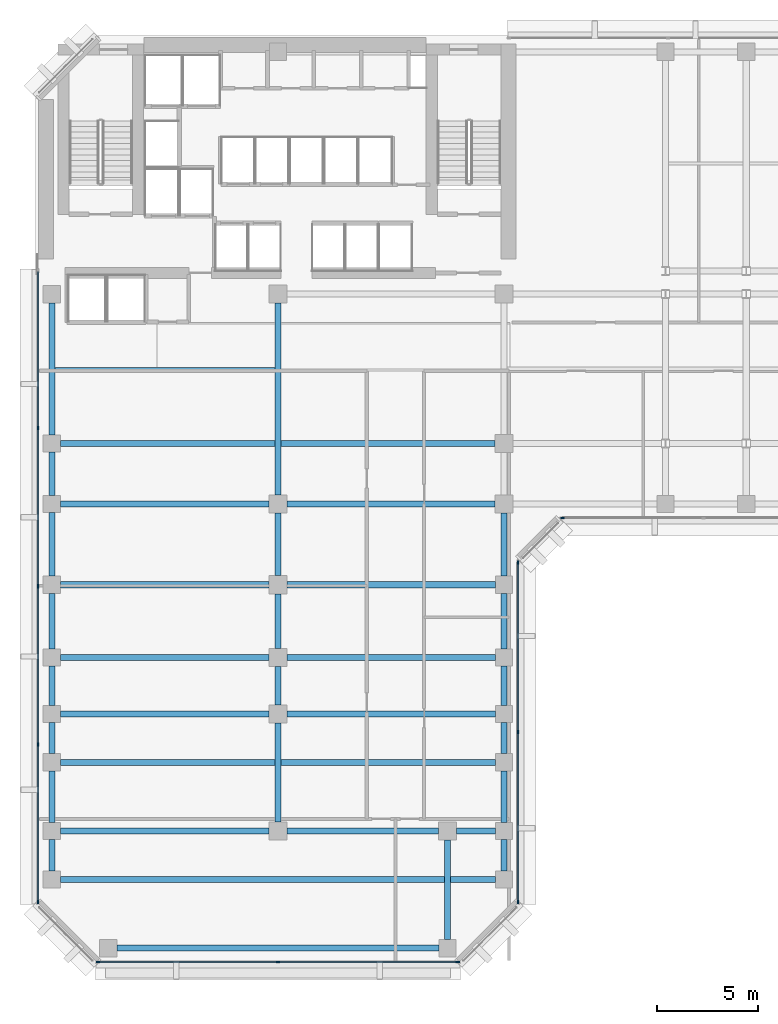
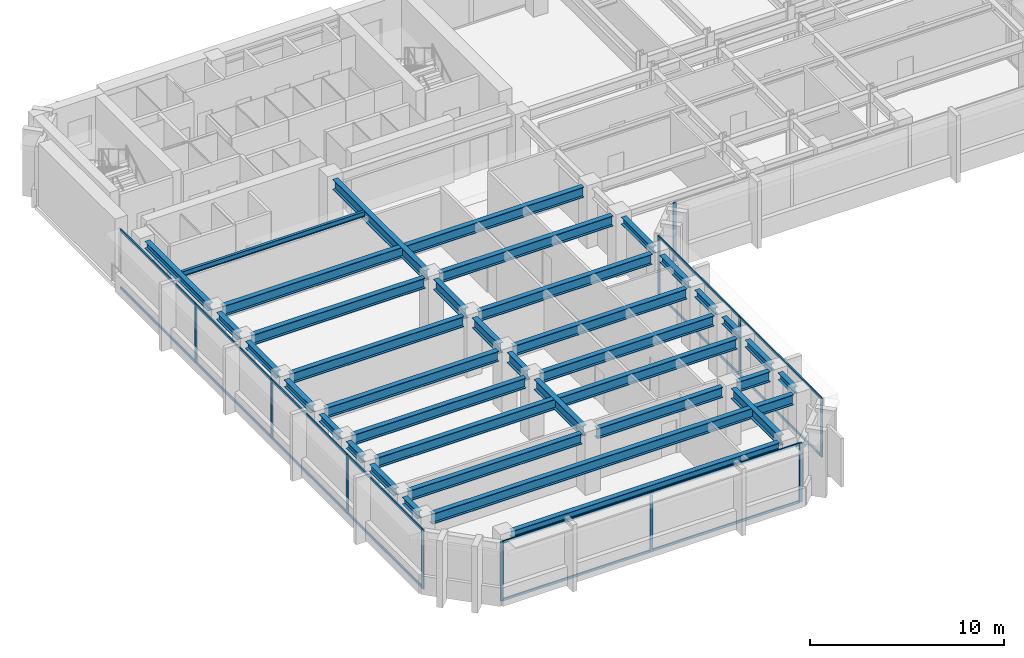
# One storey, part 2 of 12: 36 beams, 27 members, 4 elements without a shape of their own.
"""IFC4 building model written with IfcOpenShell, lengths in metres."""

from ifc_helpers import new_model, si_unit, direction, frame, origin, origin_2d, place, context, subcontext, project, spatial, rectangle, i_section, extrude, material, layer, layer_set, material_profile, profile_set, type_object, element, aggregate, save


model = new_model("IFC4")

# Units and contexts
model_context = context("Model", 3, precision=1e-05, world=origin(), true_north=direction((0.0, 1.0)))
body_context = subcontext(model_context, "Body", "Model", "MODEL_VIEW")
ifc_project = project(units=[si_unit("LENGTHUNIT", "METRE"), si_unit("AREAUNIT", "SQUARE_METRE"), si_unit("VOLUMEUNIT", "CUBIC_METRE"), si_unit("PLANEANGLEUNIT", "RADIAN"), si_unit("MASSUNIT", "GRAM", prefix="KILO")], contexts=[model_context])

# Site, building, storey
site_placement = place(None, origin())
site = spatial("IfcSite", under=ifc_project, at=site_placement, CompositionType="ELEMENT")
building_placement = place(site_placement, origin())
building = spatial("IfcBuilding", under=site, at=building_placement, Name="Kefirva Bronze Tower", CompositionType="ELEMENT")
storey_placement = place(building_placement, frame((0.0, 0.0, 126.389892578125)))
storey = spatial("IfcBuildingStorey", under=building, at=storey_placement, Name="L30", CompositionType="ELEMENT", Elevation=126.389892578125)

# Curtain wall, members
ifc_material_1 = material(Name="Bronze anodised aluminium", Category="aluminium")
ifc_layer = layer(ifc_material_1, 0.199951171875, Name="Bronze anodised aluminium")
ifc_layer_set = layer_set([ifc_layer], Name="Bronze anodised aluminium")
curtain_wall_type = type_object("IfcCurtainWallType", Name="Unitised Bronze Ribbon Curtain Wall Zone 2", PredefinedType="USERDEFINED", material=ifc_layer_set)
curtain_wall_1_placement = place(storey_placement, origin())
curtain_wall_1 = element("IfcCurtainWall", 1, at=curtain_wall_1_placement, inside=storey, type_object=curtain_wall_type, Name="L30 Curtain Wall 1", ObjectType="UNITISED CURTAIN WALL", PredefinedType="USERDEFINED")
ifc_material_profile_1 = material_profile(ifc_material_1, rectangle(XDim=0.074951171875, YDim=0.179931640625, at=origin_2d()), Name="ALU 75x180")
ifc_profile_set_1 = profile_set([ifc_material_profile_1], Name="Bronze anodised aluminium")
member_type_1 = type_object("IfcMemberType", Name="Bronze Mullion 75x180", PredefinedType="MULLION", material=ifc_profile_set_1)
member_1_placement = place(storey_placement, frame((3.092529296875, 0.1201171875, 0.0), z_axis=(0.0, 0.0, 1.0), x_axis=(0.0, 1.0, 0.0)))
member_1 = element("IfcMember", 2, at=member_1_placement, type_object=member_type_1, Name="CW-02 mullion 1", PredefinedType="MULLION", context=body_context, shape_type="SweptSolid", body=[
    extrude(rectangle(XDim=0.074951171875, YDim=0.179931640625, at=origin_2d()), origin(), (0.0, 0.0, 1.0), 3.710205078125),
])
member_2_placement = place(storey_placement, frame((12.0, 0.1201171875, 0.0), z_axis=(0.0, 0.0, 1.0), x_axis=(0.0, 1.0, 0.0)))
member_2 = element("IfcMember", 3, at=member_2_placement, type_object=member_type_1, Name="CW-02 mullion 2", PredefinedType="MULLION", context=body_context, shape_type="SweptSolid", body=[
    extrude(rectangle(XDim=0.074951171875, YDim=0.179931640625, at=origin_2d()), origin(), (0.0, 0.0, 1.0), 3.710205078125),
])
member_3_placement = place(storey_placement, frame((20.907470703125, 0.1201171875, 0.0), z_axis=(0.0, 0.0, 1.0), x_axis=(0.0, 1.0, 0.0)))
member_3 = element("IfcMember", 4, at=member_3_placement, type_object=member_type_1, Name="CW-02 mullion 3", PredefinedType="MULLION", context=body_context, shape_type="SweptSolid", body=[
    extrude(rectangle(XDim=0.074951171875, YDim=0.179931640625, at=origin_2d()), origin(), (0.0, 0.0, 1.0), 3.710205078125),
])

curtain_wall_2_placement = place(storey_placement, origin())
curtain_wall_2 = element("IfcCurtainWall", 5, at=curtain_wall_2_placement, inside=storey, type_object=curtain_wall_type, Name="L30 Curtain Wall 2", ObjectType="UNITISED CURTAIN WALL", PredefinedType="USERDEFINED")
member_4_placement = place(storey_placement, frame((23.8798828125, 3.092529296875, 0.0), z_axis=(0.0, 0.0, 1.0), x_axis=(-1.0, 0.0, 0.0)))
member_4 = element("IfcMember", 6, at=member_4_placement, type_object=member_type_1, Name="CW-02 mullion 1", PredefinedType="MULLION", context=body_context, shape_type="SweptSolid", body=[
    extrude(rectangle(XDim=0.074951171875, YDim=0.179931640625, at=origin_2d()), origin(), (0.0, 0.0, 1.0), 3.710205078125),
])
member_5_placement = place(storey_placement, frame((23.8798828125, 11.5, 0.0), z_axis=(0.0, 0.0, 1.0), x_axis=(-1.0, 0.0, 0.0)))
member_5 = element("IfcMember", 7, at=member_5_placement, type_object=member_type_1, Name="CW-02 mullion 2", PredefinedType="MULLION", context=body_context, shape_type="SweptSolid", body=[
    extrude(rectangle(XDim=0.074951171875, YDim=0.179931640625, at=origin_2d()), origin(), (0.0, 0.0, 1.0), 3.710205078125),
])
member_6_placement = place(storey_placement, frame((23.8798828125, 19.907470703125, 0.0), z_axis=(0.0, 0.0, 1.0), x_axis=(-1.0, 0.0, 0.0)))
member_6 = element("IfcMember", 8, at=member_6_placement, type_object=member_type_1, Name="CW-02 mullion 3", PredefinedType="MULLION", context=body_context, shape_type="SweptSolid", body=[
    extrude(rectangle(XDim=0.074951171875, YDim=0.179931640625, at=origin_2d()), origin(), (0.0, 0.0, 1.0), 3.710205078125),
])

# Curtain wall, member
curtain_wall_3_placement = place(storey_placement, origin())
curtain_wall_3 = element("IfcCurtainWall", 9, at=curtain_wall_3_placement, inside=storey, type_object=curtain_wall_type, Name="L30 Curtain Wall 3", ObjectType="UNITISED CURTAIN WALL", PredefinedType="USERDEFINED")
member_7_placement = place(storey_placement, frame((26.092529296875, 22.1201171875, 0.0), z_axis=(0.0, 0.0, 1.0), x_axis=(0.0, 1.0, 0.0)))
member_7 = element("IfcMember", 10, at=member_7_placement, type_object=member_type_1, Name="CW-02 mullion 1", PredefinedType="MULLION", context=body_context, shape_type="SweptSolid", body=[
    extrude(rectangle(XDim=0.074951171875, YDim=0.179931640625, at=origin_2d()), origin(), (0.0, 0.0, 1.0), 3.710205078125),
])
aggregate(curtain_wall_3, [member_7])

# Curtain wall, members
curtain_wall_4_placement = place(storey_placement, origin())
curtain_wall_4 = element("IfcCurtainWall", 11, at=curtain_wall_4_placement, inside=storey, type_object=curtain_wall_type, Name="L30 Curtain Wall 6", ObjectType="UNITISED CURTAIN WALL", PredefinedType="USERDEFINED")
member_8_placement = place(storey_placement, frame((0.1201171875, 26.56005859375, 0.0), z_axis=(0.0, 0.0, 1.0), x_axis=(1.0, 0.0, 0.0)))
member_8 = element("IfcMember", 12, at=member_8_placement, type_object=member_type_1, Name="CW-02 mullion 2", PredefinedType="MULLION", context=body_context, shape_type="SweptSolid", body=[
    extrude(rectangle(XDim=0.074951171875, YDim=0.179931640625, at=origin_2d()), origin(), (0.0, 0.0, 1.0), 3.710205078125),
])
member_9_placement = place(storey_placement, frame((0.1201171875, 18.72509765625, 0.0), z_axis=(0.0, 0.0, 1.0), x_axis=(1.0, 0.0, 0.0)))
member_9 = element("IfcMember", 13, at=member_9_placement, type_object=member_type_1, Name="CW-02 mullion 3", PredefinedType="MULLION", context=body_context, shape_type="SweptSolid", body=[
    extrude(rectangle(XDim=0.074951171875, YDim=0.179931640625, at=origin_2d()), origin(), (0.0, 0.0, 1.0), 3.710205078125),
])
member_10_placement = place(storey_placement, frame((0.1201171875, 10.889892578125, 0.0), z_axis=(0.0, 0.0, 1.0), x_axis=(1.0, 0.0, 0.0)))
member_10 = element("IfcMember", 14, at=member_10_placement, type_object=member_type_1, Name="CW-02 mullion 4", PredefinedType="MULLION", context=body_context, shape_type="SweptSolid", body=[
    extrude(rectangle(XDim=0.074951171875, YDim=0.179931640625, at=origin_2d()), origin(), (0.0, 0.0, 1.0), 3.710205078125),
])
member_11_placement = place(storey_placement, frame((0.1201171875, 3.092529296875, 0.0), z_axis=(0.0, 0.0, 1.0), x_axis=(1.0, 0.0, 0.0)))
member_11 = element("IfcMember", 15, at=member_11_placement, type_object=member_type_1, Name="CW-02 mullion 5", PredefinedType="MULLION", context=body_context, shape_type="SweptSolid", body=[
    extrude(rectangle(XDim=0.074951171875, YDim=0.179931640625, at=origin_2d()), origin(), (0.0, 0.0, 1.0), 3.710205078125),
])

# Member
ifc_material_profile_2 = material_profile(ifc_material_1, rectangle(XDim=0.074951171875, YDim=0.14990234375, at=origin_2d()), Name="ALU 75x150")
ifc_profile_set_2 = profile_set([ifc_material_profile_2], Name="Bronze anodised aluminium")
member_type_2 = type_object("IfcMemberType", Name="Bronze Transom 75x150", PredefinedType="USERDEFINED", material=ifc_profile_set_2)
member_12_placement = place(storey_placement, frame((3.1298828125, 0.1201171875, 0.03759765625), z_axis=(1.0, 0.0, 0.0), x_axis=(0.0, 1.0, 0.0)))
member_12 = element("IfcMember", 16, at=member_12_placement, type_object=member_type_2, Name="CW-02 transom 1.1", ObjectType="TRANSOM", PredefinedType="USERDEFINED", context=body_context, shape_type="SweptSolid", body=[
    extrude(rectangle(XDim=0.074951171875, YDim=0.14990234375, at=origin_2d()), origin(), (0.0, 0.0, 1.0), 8.83251953125),
])

member_13_placement = place(storey_placement, frame((3.1298828125, 0.1201171875, 3.672607421875), z_axis=(1.0, 0.0, 0.0), x_axis=(0.0, 1.0, 0.0)))
member_13 = element("IfcMember", 17, at=member_13_placement, type_object=member_type_2, Name="CW-02 transom 1.2", ObjectType="TRANSOM", PredefinedType="USERDEFINED", context=body_context, shape_type="SweptSolid", body=[
    extrude(rectangle(XDim=0.074951171875, YDim=0.14990234375, at=origin_2d()), origin(), (0.0, 0.0, 1.0), 8.83251953125),
])

member_14_placement = place(storey_placement, frame((12.03759765625, 0.1201171875, 0.03759765625), z_axis=(1.0, 0.0, 0.0), x_axis=(0.0, 1.0, 0.0)))
member_14 = element("IfcMember", 18, at=member_14_placement, type_object=member_type_2, Name="CW-02 transom 2.1", ObjectType="TRANSOM", PredefinedType="USERDEFINED", context=body_context, shape_type="SweptSolid", body=[
    extrude(rectangle(XDim=0.074951171875, YDim=0.14990234375, at=origin_2d()), origin(), (0.0, 0.0, 1.0), 8.83251953125),
])

member_15_placement = place(storey_placement, frame((12.03759765625, 0.1201171875, 3.672607421875), z_axis=(1.0, 0.0, 0.0), x_axis=(0.0, 1.0, 0.0)))
member_15 = element("IfcMember", 19, at=member_15_placement, type_object=member_type_2, Name="CW-02 transom 2.2", ObjectType="TRANSOM", PredefinedType="USERDEFINED", context=body_context, shape_type="SweptSolid", body=[
    extrude(rectangle(XDim=0.074951171875, YDim=0.14990234375, at=origin_2d()), origin(), (0.0, 0.0, 1.0), 8.83251953125),
])

aggregate(curtain_wall_1, [member_1, member_2, member_3, member_12, member_13, member_14, member_15])

member_16_placement = place(storey_placement, frame((23.8798828125, 3.1298828125, 0.03759765625), z_axis=(0.0, 1.0, 0.0), x_axis=(-1.0, 0.0, 0.0)))
member_16 = element("IfcMember", 20, at=member_16_placement, type_object=member_type_2, Name="CW-02 transom 1.1", ObjectType="TRANSOM", PredefinedType="USERDEFINED", context=body_context, shape_type="SweptSolid", body=[
    extrude(rectangle(XDim=0.074951171875, YDim=0.14990234375, at=origin_2d()), origin(), (0.0, 0.0, 1.0), 8.33251953125),
])

member_17_placement = place(storey_placement, frame((23.8798828125, 3.1298828125, 3.672607421875), z_axis=(0.0, 1.0, 0.0), x_axis=(-1.0, 0.0, 0.0)))
member_17 = element("IfcMember", 21, at=member_17_placement, type_object=member_type_2, Name="CW-02 transom 1.2", ObjectType="TRANSOM", PredefinedType="USERDEFINED", context=body_context, shape_type="SweptSolid", body=[
    extrude(rectangle(XDim=0.074951171875, YDim=0.14990234375, at=origin_2d()), origin(), (0.0, 0.0, 1.0), 8.33251953125),
])

member_18_placement = place(storey_placement, frame((23.8798828125, 11.53759765625, 0.03759765625), z_axis=(0.0, 1.0, 0.0), x_axis=(-1.0, 0.0, 0.0)))
member_18 = element("IfcMember", 22, at=member_18_placement, type_object=member_type_2, Name="CW-02 transom 2.1", ObjectType="TRANSOM", PredefinedType="USERDEFINED", context=body_context, shape_type="SweptSolid", body=[
    extrude(rectangle(XDim=0.074951171875, YDim=0.14990234375, at=origin_2d()), origin(), (0.0, 0.0, 1.0), 8.33251953125),
])

member_19_placement = place(storey_placement, frame((23.8798828125, 11.53759765625, 3.672607421875), z_axis=(0.0, 1.0, 0.0), x_axis=(-1.0, 0.0, 0.0)))
member_19 = element("IfcMember", 23, at=member_19_placement, type_object=member_type_2, Name="CW-02 transom 2.2", ObjectType="TRANSOM", PredefinedType="USERDEFINED", context=body_context, shape_type="SweptSolid", body=[
    extrude(rectangle(XDim=0.074951171875, YDim=0.14990234375, at=origin_2d()), origin(), (0.0, 0.0, 1.0), 8.33251953125),
])

aggregate(curtain_wall_2, [member_4, member_5, member_6, member_16, member_17, member_18, member_19])

member_20_placement = place(storey_placement, frame((0.1201171875, 34.320068359375, 0.03759765625), z_axis=(0.0, -1.0, 0.0), x_axis=(1.0, 0.0, 0.0)))
member_20 = element("IfcMember", 24, at=member_20_placement, type_object=member_type_2, Name="CW-02 transom 1.1", ObjectType="TRANSOM", PredefinedType="USERDEFINED", context=body_context, shape_type="SweptSolid", body=[
    extrude(rectangle(XDim=0.074951171875, YDim=0.14990234375, at=origin_2d()), origin(), (0.0, 0.0, 1.0), 7.72265625),
])

member_21_placement = place(storey_placement, frame((0.1201171875, 34.320068359375, 3.672607421875), z_axis=(0.0, -1.0, 0.0), x_axis=(1.0, 0.0, 0.0)))
member_21 = element("IfcMember", 25, at=member_21_placement, type_object=member_type_2, Name="CW-02 transom 1.2", ObjectType="TRANSOM", PredefinedType="USERDEFINED", context=body_context, shape_type="SweptSolid", body=[
    extrude(rectangle(XDim=0.074951171875, YDim=0.14990234375, at=origin_2d()), origin(), (0.0, 0.0, 1.0), 7.72265625),
])

member_22_placement = place(storey_placement, frame((0.1201171875, 26.5224609375, 0.03759765625), z_axis=(0.0, -1.0, 0.0), x_axis=(1.0, 0.0, 0.0)))
member_22 = element("IfcMember", 26, at=member_22_placement, type_object=member_type_2, Name="CW-02 transom 2.1", ObjectType="TRANSOM", PredefinedType="USERDEFINED", context=body_context, shape_type="SweptSolid", body=[
    extrude(rectangle(XDim=0.074951171875, YDim=0.14990234375, at=origin_2d()), origin(), (0.0, 0.0, 1.0), 7.760009765625),
])

member_23_placement = place(storey_placement, frame((0.1201171875, 26.5224609375, 3.672607421875), z_axis=(0.0, -1.0, 0.0), x_axis=(1.0, 0.0, 0.0)))
member_23 = element("IfcMember", 27, at=member_23_placement, type_object=member_type_2, Name="CW-02 transom 2.2", ObjectType="TRANSOM", PredefinedType="USERDEFINED", context=body_context, shape_type="SweptSolid", body=[
    extrude(rectangle(XDim=0.074951171875, YDim=0.14990234375, at=origin_2d()), origin(), (0.0, 0.0, 1.0), 7.760009765625),
])

member_24_placement = place(storey_placement, frame((0.1201171875, 18.6875, 0.03759765625), z_axis=(0.0, -1.0, 0.0), x_axis=(1.0, 0.0, 0.0)))
member_24 = element("IfcMember", 28, at=member_24_placement, type_object=member_type_2, Name="CW-02 transom 3.1", ObjectType="TRANSOM", PredefinedType="USERDEFINED", context=body_context, shape_type="SweptSolid", body=[
    extrude(rectangle(XDim=0.074951171875, YDim=0.14990234375, at=origin_2d()), origin(), (0.0, 0.0, 1.0), 7.760009765625),
])

member_25_placement = place(storey_placement, frame((0.1201171875, 18.6875, 3.672607421875), z_axis=(0.0, -1.0, 0.0), x_axis=(1.0, 0.0, 0.0)))
member_25 = element("IfcMember", 29, at=member_25_placement, type_object=member_type_2, Name="CW-02 transom 3.2", ObjectType="TRANSOM", PredefinedType="USERDEFINED", context=body_context, shape_type="SweptSolid", body=[
    extrude(rectangle(XDim=0.074951171875, YDim=0.14990234375, at=origin_2d()), origin(), (0.0, 0.0, 1.0), 7.760009765625),
])

member_26_placement = place(storey_placement, frame((0.1201171875, 10.8525390625, 0.03759765625), z_axis=(0.0, -1.0, 0.0), x_axis=(1.0, 0.0, 0.0)))
member_26 = element("IfcMember", 30, at=member_26_placement, type_object=member_type_2, Name="CW-02 transom 4.1", ObjectType="TRANSOM", PredefinedType="USERDEFINED", context=body_context, shape_type="SweptSolid", body=[
    extrude(rectangle(XDim=0.074951171875, YDim=0.14990234375, at=origin_2d()), origin(), (0.0, 0.0, 1.0), 7.72265625),
])

member_27_placement = place(storey_placement, frame((0.1201171875, 10.8525390625, 3.672607421875), z_axis=(0.0, -1.0, 0.0), x_axis=(1.0, 0.0, 0.0)))
member_27 = element("IfcMember", 31, at=member_27_placement, type_object=member_type_2, Name="CW-02 transom 4.2", ObjectType="TRANSOM", PredefinedType="USERDEFINED", context=body_context, shape_type="SweptSolid", body=[
    extrude(rectangle(XDim=0.074951171875, YDim=0.14990234375, at=origin_2d()), origin(), (0.0, 0.0, 1.0), 7.72265625),
])

aggregate(curtain_wall_4, [member_8, member_9, member_10, member_11, member_20, member_21, member_22, member_23, member_24, member_25, member_26, member_27])

# Beams
ifc_material_2 = material(Name="Steel S355", Category="steel")
ifc_material_profile_3 = material_profile(ifc_material_2, i_section(OverallWidth=0.159912109375, OverallDepth=0.330078125, WebThickness=0.007568359375, FlangeThickness=0.011474609375, at=origin_2d()), Name="IPE 330")
ifc_profile_set_3 = profile_set([ifc_material_profile_3], Name="Steel S355")
beam_type_1 = type_object("IfcBeamType", Name="Steel Floor Joist IPE 330", PredefinedType="JOIST", material=ifc_profile_set_3)
beam_1_placement = place(storey_placement, frame((0.949951171875, 29.489990234375, 3.545166015625), z_axis=(1.0, 0.0, 0.0), x_axis=(0.0, 1.0, 0.0)))
element("IfcBeam", 32, at=beam_1_placement, inside=storey, type_object=beam_type_1, Name="L30 JST-L30-0-294", PredefinedType="JOIST", context=body_context, shape_type="SweptSolid", body=[
    extrude(i_section(OverallWidth=0.159912109375, OverallDepth=0.330078125, WebThickness=0.007568359375, FlangeThickness=0.011474609375, at=origin_2d()), origin(), (0.0, 0.0, 1.0), 10.900146484375),
])
ifc_material_profile_4 = material_profile(ifc_material_2, i_section(OverallWidth=0.300048828125, OverallDepth=0.64990234375, WebThickness=0.01611328125, FlangeThickness=0.031005859375, at=origin_2d()), Name="HEB 650")
ifc_profile_set_4 = profile_set([ifc_material_profile_4], Name="Steel S355")
beam_type_2 = type_object("IfcBeamType", Name="Steel Girder HEB 650", PredefinedType="USERDEFINED", material=ifc_profile_set_4)
beam_2_placement = place(storey_placement, frame((1.22998046875, 4.199951171875, 3.385009765625), z_axis=(1.0, 0.0, 0.0), x_axis=(0.0, 1.0, 0.0)))
element("IfcBeam", 33, at=beam_2_placement, inside=storey, type_object=beam_type_2, Name="L30 BM-L30-EW-0-42", ObjectType="GIRDER", PredefinedType="USERDEFINED", context=body_context, shape_type="SweptSolid", body=[
    extrude(i_section(OverallWidth=0.300048828125, OverallDepth=0.64990234375, WebThickness=0.01611328125, FlangeThickness=0.031005859375, at=origin_2d()), origin(), (0.0, 0.0, 1.0), 21.5400390625),
])
beam_3_placement = place(storey_placement, frame((1.22998046875, 6.60009765625, 3.385009765625), z_axis=(1.0, 0.0, 0.0), x_axis=(0.0, 1.0, 0.0)))
element("IfcBeam", 34, at=beam_3_placement, inside=storey, type_object=beam_type_2, Name="L30 BM-L30-EW-0-66", ObjectType="GIRDER", PredefinedType="USERDEFINED", context=body_context, shape_type="SweptSolid", body=[
    extrude(i_section(OverallWidth=0.300048828125, OverallDepth=0.64990234375, WebThickness=0.01611328125, FlangeThickness=0.031005859375, at=origin_2d()), origin(), (0.0, 0.0, 1.0), 10.320068359375),
])
beam_4_placement = place(storey_placement, frame((12.449951171875, 6.60009765625, 3.385009765625), z_axis=(1.0, 0.0, 0.0), x_axis=(0.0, 1.0, 0.0)))
element("IfcBeam", 35, at=beam_4_placement, inside=storey, type_object=beam_type_2, Name="L30 BM-L30-EW-12-66", ObjectType="GIRDER", PredefinedType="USERDEFINED", context=body_context, shape_type="SweptSolid", body=[
    extrude(i_section(OverallWidth=0.300048828125, OverallDepth=0.64990234375, WebThickness=0.01611328125, FlangeThickness=0.031005859375, at=origin_2d()), origin(), (0.0, 0.0, 1.0), 7.5),
])
beam_5_placement = place(storey_placement, frame((20.85009765625, 6.60009765625, 3.385009765625), z_axis=(1.0, 0.0, 0.0), x_axis=(0.0, 1.0, 0.0)))
element("IfcBeam", 36, at=beam_5_placement, inside=storey, type_object=beam_type_2, Name="L30 BM-L30-EW-20-66", ObjectType="GIRDER", PredefinedType="USERDEFINED", context=body_context, shape_type="SweptSolid", body=[
    extrude(i_section(OverallWidth=0.300048828125, OverallDepth=0.64990234375, WebThickness=0.01611328125, FlangeThickness=0.031005859375, at=origin_2d()), origin(), (0.0, 0.0, 1.0), 1.919921875),
])
beam_6_placement = place(storey_placement, frame((1.22998046875, 10.0, 3.385009765625), z_axis=(1.0, 0.0, 0.0), x_axis=(0.0, 1.0, 0.0)))
element("IfcBeam", 37, at=beam_6_placement, inside=storey, type_object=beam_type_2, Name="L30 BM-L30-EW-0-100", ObjectType="GIRDER", PredefinedType="USERDEFINED", context=body_context, shape_type="SweptSolid", body=[
    extrude(i_section(OverallWidth=0.300048828125, OverallDepth=0.64990234375, WebThickness=0.01611328125, FlangeThickness=0.031005859375, at=origin_2d()), origin(), (0.0, 0.0, 1.0), 21.5400390625),
])
for number, where, z_axis, x_axis, name in (
    (38, (1.22998046875, 12.39990234375, 3.385009765625), (1.0, 0.0, 0.0), (0.0, 1.0, 0.0), "L30 BM-L30-EW-0-124"),
    (39, (12.449951171875, 12.39990234375, 3.385009765625), (1.0, 0.0, 0.0), (0.0, 1.0, 0.0), "L30 BM-L30-EW-12-124"),
    (40, (1.22998046875, 15.199951171875, 3.385009765625), (1.0, 0.0, 0.0), (0.0, 1.0, 0.0), "L30 BM-L30-EW-0-152"),
    (41, (12.449951171875, 15.199951171875, 3.385009765625), (1.0, 0.0, 0.0), (0.0, 1.0, 0.0), "L30 BM-L30-EW-12-152"),
    (42, (1.22998046875, 18.800048828125, 3.385009765625), (1.0, 0.0, 0.0), (0.0, 1.0, 0.0), "L30 BM-L30-EW-0-188"),
    (43, (12.449951171875, 18.800048828125, 3.385009765625), (1.0, 0.0, 0.0), (0.0, 1.0, 0.0), "L30 BM-L30-EW-12-188"),
    (44, (1.22998046875, 22.800048828125, 3.385009765625), (1.0, 0.0, 0.0), (0.0, 1.0, 0.0), "L30 BM-L30-EW-0-228"),
):
    element("IfcBeam", number, at=place(storey_placement, frame(where, z_axis=z_axis, x_axis=x_axis)), inside=storey, type_object=beam_type_2, Name=name, ObjectType="GIRDER", PredefinedType="USERDEFINED", context=body_context, shape_type="SweptSolid", body=[
        extrude(i_section(OverallWidth=0.300048828125, OverallDepth=0.64990234375, WebThickness=0.01611328125, FlangeThickness=0.031005859375, at=origin_2d()), origin(), (0.0, 0.0, 1.0), 10.320068359375),
    ])
beam_7_placement = place(storey_placement, frame((12.449951171875, 22.800048828125, 3.385009765625), z_axis=(1.0, 0.0, 0.0), x_axis=(0.0, 1.0, 0.0)))
element("IfcBeam", 45, at=beam_7_placement, inside=storey, type_object=beam_type_2, Name="L30 BM-L30-EW-12-228", ObjectType="GIRDER", PredefinedType="USERDEFINED", context=body_context, shape_type="SweptSolid", body=[
    extrude(i_section(OverallWidth=0.300048828125, OverallDepth=0.64990234375, WebThickness=0.01611328125, FlangeThickness=0.031005859375, at=origin_2d()), origin(), (0.0, 0.0, 1.0), 10.300048828125),
])
beam_8_placement = place(storey_placement, frame((1.22998046875, 25.800048828125, 3.385009765625), z_axis=(1.0, 0.0, 0.0), x_axis=(0.0, 1.0, 0.0)))
element("IfcBeam", 46, at=beam_8_placement, inside=storey, type_object=beam_type_2, Name="L30 BM-L30-EW-0-258", ObjectType="GIRDER", PredefinedType="USERDEFINED", context=body_context, shape_type="SweptSolid", body=[
    extrude(i_section(OverallWidth=0.300048828125, OverallDepth=0.64990234375, WebThickness=0.01611328125, FlangeThickness=0.031005859375, at=origin_2d()), origin(), (0.0, 0.0, 1.0), 21.52001953125),
])
beam_9_placement = place(storey_placement, frame((12.0, 7.050048828125, 3.385009765625), z_axis=(0.0, 1.0, 0.0), x_axis=(-1.0, 0.0, 0.0)))
element("IfcBeam", 47, at=beam_9_placement, inside=storey, type_object=beam_type_2, Name="L30 BM-L30-NS-120-6", ObjectType="GIRDER", PredefinedType="USERDEFINED", context=body_context, shape_type="SweptSolid", body=[
    extrude(i_section(OverallWidth=0.300048828125, OverallDepth=0.64990234375, WebThickness=0.01611328125, FlangeThickness=0.031005859375, at=origin_2d()), origin(), (0.0, 0.0, 1.0), 4.89990234375),
])
beam_10_placement = place(storey_placement, frame((12.0, 12.85009765625, 3.385009765625), z_axis=(0.0, 1.0, 0.0), x_axis=(-1.0, 0.0, 0.0)))
element("IfcBeam", 48, at=beam_10_placement, inside=storey, type_object=beam_type_2, Name="L30 BM-L30-NS-120-12", ObjectType="GIRDER", PredefinedType="USERDEFINED", context=body_context, shape_type="SweptSolid", body=[
    extrude(i_section(OverallWidth=0.300048828125, OverallDepth=0.64990234375, WebThickness=0.01611328125, FlangeThickness=0.031005859375, at=origin_2d()), origin(), (0.0, 0.0, 1.0), 1.89990234375),
])
beam_11_placement = place(storey_placement, frame((12.0, 15.64990234375, 3.385009765625), z_axis=(0.0, 1.0, 0.0), x_axis=(-1.0, 0.0, 0.0)))
element("IfcBeam", 49, at=beam_11_placement, inside=storey, type_object=beam_type_2, Name="L30 BM-L30-NS-120-15", ObjectType="GIRDER", PredefinedType="USERDEFINED", context=body_context, shape_type="SweptSolid", body=[
    extrude(i_section(OverallWidth=0.300048828125, OverallDepth=0.64990234375, WebThickness=0.01611328125, FlangeThickness=0.031005859375, at=origin_2d()), origin(), (0.0, 0.0, 1.0), 2.7001953125),
])
beam_12_placement = place(storey_placement, frame((12.0, 19.25, 3.385009765625), z_axis=(0.0, 1.0, 0.0), x_axis=(-1.0, 0.0, 0.0)))
element("IfcBeam", 50, at=beam_12_placement, inside=storey, type_object=beam_type_2, Name="L30 BM-L30-NS-120-18", ObjectType="GIRDER", PredefinedType="USERDEFINED", context=body_context, shape_type="SweptSolid", body=[
    extrude(i_section(OverallWidth=0.300048828125, OverallDepth=0.64990234375, WebThickness=0.01611328125, FlangeThickness=0.031005859375, at=origin_2d()), origin(), (0.0, 0.0, 1.0), 3.10009765625),
])
beam_13_placement = place(storey_placement, frame((12.0, 23.25, 3.385009765625), z_axis=(0.0, 1.0, 0.0), x_axis=(-1.0, 0.0, 0.0)))
element("IfcBeam", 51, at=beam_13_placement, inside=storey, type_object=beam_type_2, Name="L30 BM-L30-NS-120-22", ObjectType="GIRDER", PredefinedType="USERDEFINED", context=body_context, shape_type="SweptSolid", body=[
    extrude(i_section(OverallWidth=0.300048828125, OverallDepth=0.64990234375, WebThickness=0.01611328125, FlangeThickness=0.031005859375, at=origin_2d()), origin(), (0.0, 0.0, 1.0), 9.5),
])
beam_14_placement = place(storey_placement, frame((20.39990234375, 1.22998046875, 3.385009765625), z_axis=(0.0, 1.0, 0.0), x_axis=(-1.0, 0.0, 0.0)))
element("IfcBeam", 52, at=beam_14_placement, inside=storey, type_object=beam_type_2, Name="L30 BM-L30-NS-204-0", ObjectType="GIRDER", PredefinedType="USERDEFINED", context=body_context, shape_type="SweptSolid", body=[
    extrude(i_section(OverallWidth=0.300048828125, OverallDepth=0.64990234375, WebThickness=0.01611328125, FlangeThickness=0.031005859375, at=origin_2d()), origin(), (0.0, 0.0, 1.0), 4.919921875),
])
ifc_material_profile_5 = material_profile(ifc_material_2, i_section(OverallWidth=0.300048828125, OverallDepth=0.449951171875, WebThickness=0.013916015625, FlangeThickness=0.02587890625, at=origin_2d()), Name="HEB 450")
ifc_profile_set_5 = profile_set([ifc_material_profile_5], Name="Steel S355")
beam_type_3 = type_object("IfcBeamType", Name="Steel Spandrel HEB 450 Ext", PredefinedType="SPANDREL", material=ifc_profile_set_5)
beam_15_placement = place(storey_placement, frame((4.030029296875, 0.800048828125, 3.485107421875), z_axis=(1.0, 0.0, 0.0), x_axis=(0.0, 1.0, 0.0)))
element("IfcBeam", 53, at=beam_15_placement, inside=storey, type_object=beam_type_3, Name="L30 BM-L30-EW-3-8", PredefinedType="SPANDREL", context=body_context, shape_type="SweptSolid", body=[
    extrude(i_section(OverallWidth=0.300048828125, OverallDepth=0.449951171875, WebThickness=0.013916015625, FlangeThickness=0.02587890625, at=origin_2d()), origin(), (0.0, 0.0, 1.0), 15.93994140625),
])
beam_16_placement = place(storey_placement, frame((0.800048828125, 4.6298828125, 3.485107421875), z_axis=(0.0, 1.0, 0.0), x_axis=(-1.0, 0.0, 0.0)))
element("IfcBeam", 54, at=beam_16_placement, inside=storey, type_object=beam_type_3, Name="L30 BM-L30-NS-8-4", PredefinedType="SPANDREL", context=body_context, shape_type="SweptSolid", body=[
    extrude(i_section(OverallWidth=0.300048828125, OverallDepth=0.449951171875, WebThickness=0.013916015625, FlangeThickness=0.02587890625, at=origin_2d()), origin(), (0.0, 0.0, 1.0), 1.5400390625),
])
beam_17_placement = place(storey_placement, frame((0.800048828125, 7.030029296875, 3.485107421875), z_axis=(0.0, 1.0, 0.0), x_axis=(-1.0, 0.0, 0.0)))
element("IfcBeam", 55, at=beam_17_placement, inside=storey, type_object=beam_type_3, Name="L30 BM-L30-NS-8-6", PredefinedType="SPANDREL", context=body_context, shape_type="SweptSolid", body=[
    extrude(i_section(OverallWidth=0.300048828125, OverallDepth=0.449951171875, WebThickness=0.013916015625, FlangeThickness=0.02587890625, at=origin_2d()), origin(), (0.0, 0.0, 1.0), 2.5400390625),
])
beam_18_placement = place(storey_placement, frame((0.800048828125, 10.429931640625, 3.485107421875), z_axis=(0.0, 1.0, 0.0), x_axis=(-1.0, 0.0, 0.0)))
element("IfcBeam", 56, at=beam_18_placement, inside=storey, type_object=beam_type_3, Name="L30 BM-L30-NS-8-10", PredefinedType="SPANDREL", context=body_context, shape_type="SweptSolid", body=[
    extrude(i_section(OverallWidth=0.300048828125, OverallDepth=0.449951171875, WebThickness=0.013916015625, FlangeThickness=0.02587890625, at=origin_2d()), origin(), (0.0, 0.0, 1.0), 1.5400390625),
])
beam_19_placement = place(storey_placement, frame((0.800048828125, 12.830078125, 3.485107421875), z_axis=(0.0, 1.0, 0.0), x_axis=(-1.0, 0.0, 0.0)))
element("IfcBeam", 57, at=beam_19_placement, inside=storey, type_object=beam_type_3, Name="L30 BM-L30-NS-8-12", PredefinedType="SPANDREL", context=body_context, shape_type="SweptSolid", body=[
    extrude(i_section(OverallWidth=0.300048828125, OverallDepth=0.449951171875, WebThickness=0.013916015625, FlangeThickness=0.02587890625, at=origin_2d()), origin(), (0.0, 0.0, 1.0), 1.93994140625),
])
beam_20_placement = place(storey_placement, frame((0.800048828125, 15.6298828125, 3.485107421875), z_axis=(0.0, 1.0, 0.0), x_axis=(-1.0, 0.0, 0.0)))
element("IfcBeam", 58, at=beam_20_placement, inside=storey, type_object=beam_type_3, Name="L30 BM-L30-NS-8-15", PredefinedType="SPANDREL", context=body_context, shape_type="SweptSolid", body=[
    extrude(i_section(OverallWidth=0.300048828125, OverallDepth=0.449951171875, WebThickness=0.013916015625, FlangeThickness=0.02587890625, at=origin_2d()), origin(), (0.0, 0.0, 1.0), 2.740234375),
])
beam_21_placement = place(storey_placement, frame((0.800048828125, 19.22998046875, 3.485107421875), z_axis=(0.0, 1.0, 0.0), x_axis=(-1.0, 0.0, 0.0)))
element("IfcBeam", 59, at=beam_21_placement, inside=storey, type_object=beam_type_3, Name="L30 BM-L30-NS-8-18", PredefinedType="SPANDREL", context=body_context, shape_type="SweptSolid", body=[
    extrude(i_section(OverallWidth=0.300048828125, OverallDepth=0.449951171875, WebThickness=0.013916015625, FlangeThickness=0.02587890625, at=origin_2d()), origin(), (0.0, 0.0, 1.0), 3.14013671875),
])
beam_22_placement = place(storey_placement, frame((0.800048828125, 23.22998046875, 3.485107421875), z_axis=(0.0, 1.0, 0.0), x_axis=(-1.0, 0.0, 0.0)))
element("IfcBeam", 60, at=beam_22_placement, inside=storey, type_object=beam_type_3, Name="L30 BM-L30-NS-8-22", PredefinedType="SPANDREL", context=body_context, shape_type="SweptSolid", body=[
    extrude(i_section(OverallWidth=0.300048828125, OverallDepth=0.449951171875, WebThickness=0.013916015625, FlangeThickness=0.02587890625, at=origin_2d()), origin(), (0.0, 0.0, 1.0), 2.14013671875),
])
beam_23_placement = place(storey_placement, frame((0.800048828125, 26.22998046875, 3.485107421875), z_axis=(0.0, 1.0, 0.0), x_axis=(-1.0, 0.0, 0.0)))
element("IfcBeam", 61, at=beam_23_placement, inside=storey, type_object=beam_type_3, Name="L30 BM-L30-NS-8-25", PredefinedType="SPANDREL", context=body_context, shape_type="SweptSolid", body=[
    extrude(i_section(OverallWidth=0.300048828125, OverallDepth=0.449951171875, WebThickness=0.013916015625, FlangeThickness=0.02587890625, at=origin_2d()), origin(), (0.0, 0.0, 1.0), 6.5400390625),
])
beam_24_placement = place(storey_placement, frame((23.199951171875, 4.6298828125, 3.485107421875), z_axis=(0.0, 1.0, 0.0), x_axis=(-1.0, 0.0, 0.0)))
element("IfcBeam", 62, at=beam_24_placement, inside=storey, type_object=beam_type_3, Name="L30 BM-L30-NS-232-4", PredefinedType="SPANDREL", context=body_context, shape_type="SweptSolid", body=[
    extrude(i_section(OverallWidth=0.300048828125, OverallDepth=0.449951171875, WebThickness=0.013916015625, FlangeThickness=0.02587890625, at=origin_2d()), origin(), (0.0, 0.0, 1.0), 1.5400390625),
])
beam_25_placement = place(storey_placement, frame((23.199951171875, 7.030029296875, 3.485107421875), z_axis=(0.0, 1.0, 0.0), x_axis=(-1.0, 0.0, 0.0)))
element("IfcBeam", 63, at=beam_25_placement, inside=storey, type_object=beam_type_3, Name="L30 BM-L30-NS-232-6", PredefinedType="SPANDREL", context=body_context, shape_type="SweptSolid", body=[
    extrude(i_section(OverallWidth=0.300048828125, OverallDepth=0.449951171875, WebThickness=0.013916015625, FlangeThickness=0.02587890625, at=origin_2d()), origin(), (0.0, 0.0, 1.0), 2.5400390625),
])
beam_26_placement = place(storey_placement, frame((23.199951171875, 10.429931640625, 3.485107421875), z_axis=(0.0, 1.0, 0.0), x_axis=(-1.0, 0.0, 0.0)))
element("IfcBeam", 64, at=beam_26_placement, inside=storey, type_object=beam_type_3, Name="L30 BM-L30-NS-232-10", PredefinedType="SPANDREL", context=body_context, shape_type="SweptSolid", body=[
    extrude(i_section(OverallWidth=0.300048828125, OverallDepth=0.449951171875, WebThickness=0.013916015625, FlangeThickness=0.02587890625, at=origin_2d()), origin(), (0.0, 0.0, 1.0), 1.5400390625),
])
beam_27_placement = place(storey_placement, frame((23.199951171875, 12.830078125, 3.485107421875), z_axis=(0.0, 1.0, 0.0), x_axis=(-1.0, 0.0, 0.0)))
element("IfcBeam", 65, at=beam_27_placement, inside=storey, type_object=beam_type_3, Name="L30 BM-L30-NS-232-12", PredefinedType="SPANDREL", context=body_context, shape_type="SweptSolid", body=[
    extrude(i_section(OverallWidth=0.300048828125, OverallDepth=0.449951171875, WebThickness=0.013916015625, FlangeThickness=0.02587890625, at=origin_2d()), origin(), (0.0, 0.0, 1.0), 1.93994140625),
])
beam_28_placement = place(storey_placement, frame((23.199951171875, 15.6298828125, 3.485107421875), z_axis=(0.0, 1.0, 0.0), x_axis=(-1.0, 0.0, 0.0)))
element("IfcBeam", 66, at=beam_28_placement, inside=storey, type_object=beam_type_3, Name="L30 BM-L30-NS-232-15", PredefinedType="SPANDREL", context=body_context, shape_type="SweptSolid", body=[
    extrude(i_section(OverallWidth=0.300048828125, OverallDepth=0.449951171875, WebThickness=0.013916015625, FlangeThickness=0.02587890625, at=origin_2d()), origin(), (0.0, 0.0, 1.0), 2.740234375),
])
beam_29_placement = place(storey_placement, frame((23.199951171875, 19.22998046875, 3.485107421875), z_axis=(0.0, 1.0, 0.0), x_axis=(-1.0, 0.0, 0.0)))
element("IfcBeam", 67, at=beam_29_placement, inside=storey, type_object=beam_type_3, Name="L30 BM-L30-NS-232-18", PredefinedType="SPANDREL", context=body_context, shape_type="SweptSolid", body=[
    extrude(i_section(OverallWidth=0.300048828125, OverallDepth=0.449951171875, WebThickness=0.013916015625, FlangeThickness=0.02587890625, at=origin_2d()), origin(), (0.0, 0.0, 1.0), 3.1201171875),
])

save(model, "model.ifc")
